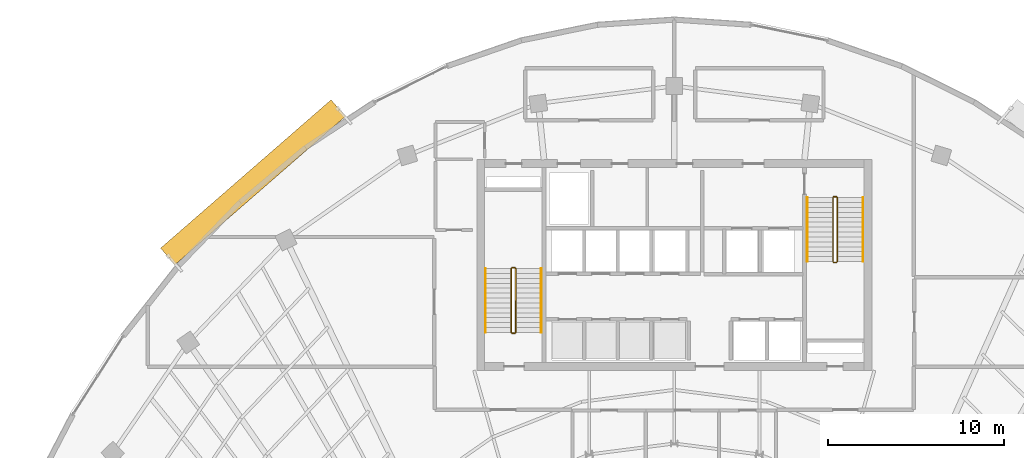
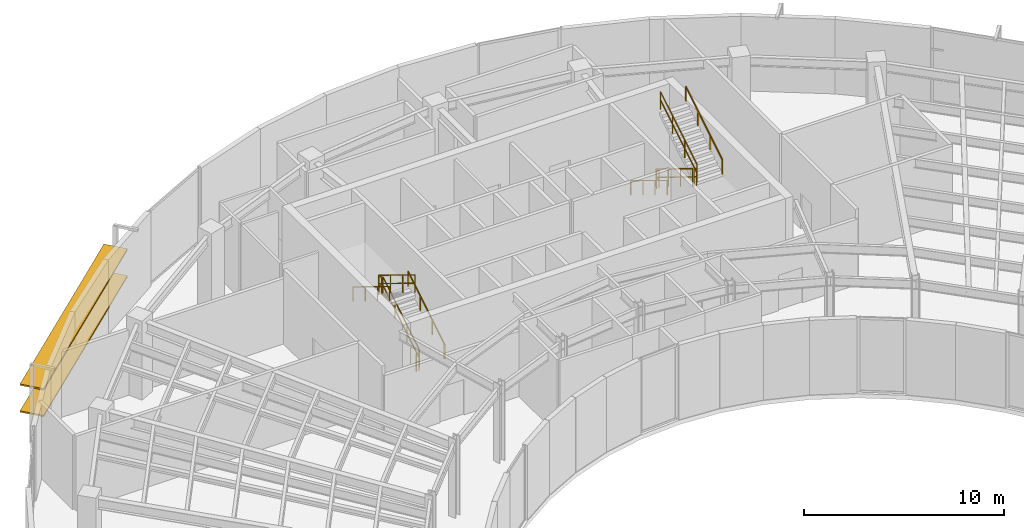
# One storey, part 13 of 15: 12 railings, 2 shading devices.
"""IFC4 building model written with IfcOpenShell, lengths in metres."""

from ifc_helpers import new_model, si_unit, direction, frame, origin, origin_2d, place, context, subcontext, project, spatial, rectangle, extrude, source, transform, mapped, material, material_profile, profile_set, type_object, element, save


model = new_model("IFC4")

# Units and contexts
model_context = context("Model", 3, precision=1e-05, world=origin(), true_north=direction((0.0, 1.0)))
body_context = subcontext(model_context, "Body", "Model", "MODEL_VIEW")
ifc_project = project(units=[si_unit("LENGTHUNIT", "METRE"), si_unit("AREAUNIT", "SQUARE_METRE"), si_unit("VOLUMEUNIT", "CUBIC_METRE"), si_unit("PLANEANGLEUNIT", "RADIAN"), si_unit("MASSUNIT", "GRAM", prefix="KILO")], contexts=[model_context])

# Site, building, storey
site_placement = place(None, origin())
site = spatial("IfcSite", under=ifc_project, at=site_placement, CompositionType="ELEMENT")
building_placement = place(site_placement, origin())
building = spatial("IfcBuilding", under=site, at=building_placement, Name="Breltana Convention Tower", CompositionType="ELEMENT")
storey_placement = place(building_placement, frame((0.0, 0.0, 199.199951171875)))
storey = spatial("IfcBuildingStorey", under=building, at=storey_placement, Name="L48", CompositionType="ELEMENT", Elevation=199.199951171875)

# Railings
ifc_material_1 = material(Name="Steel S275 Painted", Category="steel")
railing_type_1 = type_object("IfcRailingType", Name="RL-STAIR-GUARD-1100", PredefinedType="GUARDRAIL", material=ifc_material_1)
railing_1_placement = place(storey_placement, frame((38.9599609375, 62.360107421875, 0.17138671875)))
element("IfcRailing", 1, at=railing_1_placement, inside=storey, type_object=railing_type_1, Name="L48 ST-1 stair guard 1", PredefinedType="GUARDRAIL", context=body_context, shape_type="SweptSolid", body=[
    extrude(rectangle(XDim=0.048095703125, YDim=0.048095703125, at=origin_2d()), frame((0.0, 0.0, 1.076171875), z_axis=(0.0, 0.852824790078, 0.522197163366), x_axis=(-1.0, 0.0, 0.0)), (0.0, 0.0, 1.0), 4.26806640625),
    extrude(rectangle(XDim=0.048095703125, YDim=0.048095703125, at=origin_2d()), frame((0.0, 0.0, 0.572021484375), z_axis=(0.0, 0.852824790078, 0.522197163366), x_axis=(-1.0, 0.0, 0.0)), (0.0, 0.0, 1.0), 4.26806640625),
    extrude(rectangle(XDim=0.0419921875, YDim=0.0419921875, at=origin_2d()), origin(), (0.0, 0.0, 1.0), 1.052001953125),
    extrude(rectangle(XDim=0.0419921875, YDim=0.0419921875, at=origin_2d()), frame((0.0, 1.21337890625, 0.742919921875)), (0.0, 0.0, 1.0), 1.052001953125),
    extrude(rectangle(XDim=0.0419921875, YDim=0.0419921875, at=origin_2d()), frame((0.0, 2.426513671875, 1.48583984375)), (0.0, 0.0, 1.0), 1.052001953125),
    extrude(rectangle(XDim=0.0419921875, YDim=0.0419921875, at=origin_2d()), frame((0.0, 3.639892578125, 2.228759765625)), (0.0, 0.0, 1.0), 1.052001953125),
])
railing_2_placement = place(storey_placement, frame((38.909912109375, 66.050048828125, 2.400146484375)))
element("IfcRailing", 2, at=railing_2_placement, inside=storey, type_object=railing_type_1, Name="L48 ST-1 stair guard 2", PredefinedType="GUARDRAIL", context=body_context, shape_type="SweptSolid", body=[
    extrude(rectangle(XDim=0.048095703125, YDim=0.048095703125, at=origin_2d()), frame((0.0, 0.0, 1.076171875), z_axis=(-1.0, 0.0, 0.0), x_axis=(0.0, -1.0, 0.0)), (0.0, 0.0, 1.0), 0.14990234375),
    extrude(rectangle(XDim=0.048095703125, YDim=0.048095703125, at=origin_2d()), frame((0.0, 0.0, 0.572021484375), z_axis=(-1.0, 0.0, 0.0), x_axis=(0.0, -1.0, 0.0)), (0.0, 0.0, 1.0), 0.14990234375),
    extrude(rectangle(XDim=0.0419921875, YDim=0.0419921875, at=origin_2d()), origin(), (0.0, 0.0, 1.0), 1.052001953125),
    extrude(rectangle(XDim=0.0419921875, YDim=0.0419921875, at=origin_2d()), frame((-0.14990234375, 0.0, 0.0)), (0.0, 0.0, 1.0), 1.052001953125),
])
railing_3_placement = place(storey_placement, frame((38.7099609375, 66.0, 2.571533203125)))
element("IfcRailing", 3, at=railing_3_placement, inside=storey, type_object=railing_type_1, Name="L48 ST-1 stair guard 3", PredefinedType="GUARDRAIL", context=body_context, shape_type="SweptSolid", body=[
    extrude(rectangle(XDim=0.048095703125, YDim=0.048095703125, at=origin_2d()), frame((0.0, 0.0, 1.076171875), z_axis=(0.0, -0.852850264322, 0.5221555579), x_axis=(1.0, 0.0, 0.0)), (0.0, 0.0, 1.0), 4.267822265625),
    extrude(rectangle(XDim=0.048095703125, YDim=0.048095703125, at=origin_2d()), frame((0.0, 0.0, 0.572021484375), z_axis=(0.0, -0.852850264322, 0.5221555579), x_axis=(1.0, 0.0, 0.0)), (0.0, 0.0, 1.0), 4.267822265625),
    extrude(rectangle(XDim=0.0419921875, YDim=0.0419921875, at=origin_2d()), origin(), (0.0, 0.0, 1.0), 1.052001953125),
    extrude(rectangle(XDim=0.0419921875, YDim=0.0419921875, at=origin_2d()), frame((0.0, -1.21337890625, 0.742919921875)), (0.0, 0.0, 1.0), 1.052001953125),
    extrude(rectangle(XDim=0.0419921875, YDim=0.0419921875, at=origin_2d()), frame((0.0, -2.426513671875, 1.485595703125)), (0.0, 0.0, 1.0), 1.052001953125),
    extrude(rectangle(XDim=0.0419921875, YDim=0.0419921875, at=origin_2d()), frame((0.0, -3.639892578125, 2.228515625)), (0.0, 0.0, 1.0), 1.052001953125),
])
railing_4_placement = place(storey_placement, frame((38.909912109375, 62.31005859375, 0.0)))
element("IfcRailing", 4, at=railing_4_placement, inside=storey, type_object=railing_type_1, Name="L48 ST-1 stair guard 4", PredefinedType="GUARDRAIL", context=body_context, shape_type="SweptSolid", body=[
    extrude(rectangle(XDim=0.048095703125, YDim=0.048095703125, at=origin_2d()), frame((0.0, 0.0, 1.076171875), z_axis=(-1.0, 0.0, 0.0), x_axis=(0.0, -1.0, 0.0)), (0.0, 0.0, 1.0), 0.14990234375),
    extrude(rectangle(XDim=0.048095703125, YDim=0.048095703125, at=origin_2d()), frame((0.0, 0.0, 0.572021484375), z_axis=(-1.0, 0.0, 0.0), x_axis=(0.0, -1.0, 0.0)), (0.0, 0.0, 1.0), 0.14990234375),
    extrude(rectangle(XDim=0.0419921875, YDim=0.0419921875, at=origin_2d()), origin(), (0.0, 0.0, 1.0), 1.052001953125),
    extrude(rectangle(XDim=0.0419921875, YDim=0.0419921875, at=origin_2d()), frame((-0.14990234375, 0.0, 0.0)), (0.0, 0.0, 1.0), 1.052001953125),
])
railing_5_placement = place(storey_placement, frame((57.0400390625, 70.0400390625, 0.17138671875)))
element("IfcRailing", 5, at=railing_5_placement, inside=storey, type_object=railing_type_1, Name="L48 ST-2 stair guard 1", PredefinedType="GUARDRAIL", context=body_context, shape_type="SweptSolid", body=[
    extrude(rectangle(XDim=0.048095703125, YDim=0.048095703125, at=origin_2d()), frame((0.0, 0.0, 1.076171875), z_axis=(0.0, -0.852840387347, 0.522171689878), x_axis=(1.0, 0.0, 0.0)), (0.0, 0.0, 1.0), 4.268310546875),
    extrude(rectangle(XDim=0.048095703125, YDim=0.048095703125, at=origin_2d()), frame((0.0, 0.0, 0.572021484375), z_axis=(0.0, -0.852840387347, 0.522171689878), x_axis=(1.0, 0.0, 0.0)), (0.0, 0.0, 1.0), 4.268310546875),
    extrude(rectangle(XDim=0.0419921875, YDim=0.0419921875, at=origin_2d()), origin(), (0.0, 0.0, 1.0), 1.052001953125),
    extrude(rectangle(XDim=0.0419921875, YDim=0.0419921875, at=origin_2d()), frame((0.0, -1.21337890625, 0.742919921875)), (0.0, 0.0, 1.0), 1.052001953125),
    extrude(rectangle(XDim=0.0419921875, YDim=0.0419921875, at=origin_2d()), frame((0.0, -2.4267578125, 1.48583984375)), (0.0, 0.0, 1.0), 1.052001953125),
    extrude(rectangle(XDim=0.0419921875, YDim=0.0419921875, at=origin_2d()), frame((0.0, -3.64013671875, 2.228759765625)), (0.0, 0.0, 1.0), 1.052001953125),
])
railing_6_placement = place(storey_placement, frame((57.090087890625, 66.35009765625, 2.400146484375)))
element("IfcRailing", 6, at=railing_6_placement, inside=storey, type_object=railing_type_1, Name="L48 ST-2 stair guard 2", PredefinedType="GUARDRAIL", context=body_context, shape_type="SweptSolid", body=[
    extrude(rectangle(XDim=0.048095703125, YDim=0.048095703125, at=origin_2d()), frame((0.0, 0.0, 1.076171875), z_axis=(1.0, 0.0, 0.0), x_axis=(0.0, 1.0, 0.0)), (0.0, 0.0, 1.0), 0.14990234375),
    extrude(rectangle(XDim=0.048095703125, YDim=0.048095703125, at=origin_2d()), frame((0.0, 0.0, 0.572021484375), z_axis=(1.0, 0.0, 0.0), x_axis=(0.0, 1.0, 0.0)), (0.0, 0.0, 1.0), 0.14990234375),
    extrude(rectangle(XDim=0.0419921875, YDim=0.0419921875, at=origin_2d()), origin(), (0.0, 0.0, 1.0), 1.052001953125),
    extrude(rectangle(XDim=0.0419921875, YDim=0.0419921875, at=origin_2d()), frame((0.14990234375, 0.0, 0.0)), (0.0, 0.0, 1.0), 1.052001953125),
])
railing_7_placement = place(storey_placement, frame((57.2900390625, 66.39990234375, 2.571533203125)))
element("IfcRailing", 7, at=railing_7_placement, inside=storey, type_object=railing_type_1, Name="L48 ST-2 stair guard 3", PredefinedType="GUARDRAIL", context=body_context, shape_type="SweptSolid", body=[
    extrude(rectangle(XDim=0.048095703125, YDim=0.048095703125, at=origin_2d()), frame((0.0, 0.0, 1.076171875), z_axis=(0.0, 0.852865859571, 0.52213008492), x_axis=(-1.0, 0.0, 0.0)), (0.0, 0.0, 1.0), 4.26806640625),
    extrude(rectangle(XDim=0.048095703125, YDim=0.048095703125, at=origin_2d()), frame((0.0, 0.0, 0.572021484375), z_axis=(0.0, 0.852865859571, 0.52213008492), x_axis=(-1.0, 0.0, 0.0)), (0.0, 0.0, 1.0), 4.26806640625),
    extrude(rectangle(XDim=0.0419921875, YDim=0.0419921875, at=origin_2d()), origin(), (0.0, 0.0, 1.0), 1.052001953125),
    extrude(rectangle(XDim=0.0419921875, YDim=0.0419921875, at=origin_2d()), frame((0.0, 1.21337890625, 0.742919921875)), (0.0, 0.0, 1.0), 1.052001953125),
    extrude(rectangle(XDim=0.0419921875, YDim=0.0419921875, at=origin_2d()), frame((0.0, 2.4267578125, 1.485595703125)), (0.0, 0.0, 1.0), 1.052001953125),
    extrude(rectangle(XDim=0.0419921875, YDim=0.0419921875, at=origin_2d()), frame((0.0, 3.64013671875, 2.228515625)), (0.0, 0.0, 1.0), 1.052001953125),
])
railing_8_placement = place(storey_placement, frame((57.090087890625, 70.090087890625, 0.0)))
element("IfcRailing", 8, at=railing_8_placement, inside=storey, type_object=railing_type_1, Name="L48 ST-2 stair guard 4", PredefinedType="GUARDRAIL", context=body_context, shape_type="SweptSolid", body=[
    extrude(rectangle(XDim=0.048095703125, YDim=0.048095703125, at=origin_2d()), frame((0.0, 0.0, 1.076171875), z_axis=(1.0, 0.0, 0.0), x_axis=(0.0, 1.0, 0.0)), (0.0, 0.0, 1.0), 0.14990234375),
    extrude(rectangle(XDim=0.048095703125, YDim=0.048095703125, at=origin_2d()), frame((0.0, 0.0, 0.572021484375), z_axis=(1.0, 0.0, 0.0), x_axis=(0.0, 1.0, 0.0)), (0.0, 0.0, 1.0), 0.14990234375),
    extrude(rectangle(XDim=0.0419921875, YDim=0.0419921875, at=origin_2d()), origin(), (0.0, 0.0, 1.0), 1.052001953125),
    extrude(rectangle(XDim=0.0419921875, YDim=0.0419921875, at=origin_2d()), frame((0.14990234375, 0.0, 0.0)), (0.0, 0.0, 1.0), 1.052001953125),
])
ifc_material_2 = material(Name="Stainless Steel 316L", Category="steel")
railing_type_2 = type_object("IfcRailingType", Name="RL-STAIR-HANDRAIL-900", PredefinedType="HANDRAIL", material=ifc_material_2)
railing_9_placement = place(storey_placement, frame((40.419921875, 62.360107421875, 0.17138671875)))
element("IfcRailing", 9, at=railing_9_placement, inside=storey, type_object=railing_type_2, Name="L48 ST-1 stair handrail 1", PredefinedType="HANDRAIL", context=body_context, shape_type="SweptSolid", body=[
    extrude(rectangle(XDim=0.048095703125, YDim=0.048095703125, at=origin_2d()), frame((0.0, 0.0, 0.8759765625), z_axis=(0.0, 0.852824790078, 0.522197163366), x_axis=(-1.0, 0.0, 0.0)), (0.0, 0.0, 1.0), 4.26806640625),
    extrude(rectangle(XDim=0.0419921875, YDim=0.0419921875, at=origin_2d()), origin(), (0.0, 0.0, 1.0), 0.851806640625),
    extrude(rectangle(XDim=0.0419921875, YDim=0.0419921875, at=origin_2d()), frame((0.0, 1.21337890625, 0.742919921875)), (0.0, 0.0, 1.0), 0.851806640625),
    extrude(rectangle(XDim=0.0419921875, YDim=0.0419921875, at=origin_2d()), frame((0.0, 2.426513671875, 1.48583984375)), (0.0, 0.0, 1.0), 0.851806640625),
    extrude(rectangle(XDim=0.0419921875, YDim=0.0419921875, at=origin_2d()), frame((0.0, 3.639892578125, 2.228759765625)), (0.0, 0.0, 1.0), 0.851806640625),
])
railing_10_placement = place(storey_placement, frame((37.25, 66.0, 2.571533203125)))
element("IfcRailing", 10, at=railing_10_placement, inside=storey, type_object=railing_type_2, Name="L48 ST-1 stair handrail 2", PredefinedType="HANDRAIL", context=body_context, shape_type="SweptSolid", body=[
    extrude(rectangle(XDim=0.048095703125, YDim=0.048095703125, at=origin_2d()), frame((0.0, 0.0, 0.8759765625), z_axis=(0.0, -0.852850264322, 0.5221555579), x_axis=(1.0, 0.0, 0.0)), (0.0, 0.0, 1.0), 4.267822265625),
    extrude(rectangle(XDim=0.0419921875, YDim=0.0419921875, at=origin_2d()), origin(), (0.0, 0.0, 1.0), 0.851806640625),
    extrude(rectangle(XDim=0.0419921875, YDim=0.0419921875, at=origin_2d()), frame((0.0, -1.21337890625, 0.742919921875)), (0.0, 0.0, 1.0), 0.851806640625),
    extrude(rectangle(XDim=0.0419921875, YDim=0.0419921875, at=origin_2d()), frame((0.0, -2.426513671875, 1.485595703125)), (0.0, 0.0, 1.0), 0.851806640625),
    extrude(rectangle(XDim=0.0419921875, YDim=0.0419921875, at=origin_2d()), frame((0.0, -3.639892578125, 2.228515625)), (0.0, 0.0, 1.0), 0.851806640625),
])
railing_11_placement = place(storey_placement, frame((55.580078125, 70.0400390625, 0.17138671875)))
element("IfcRailing", 11, at=railing_11_placement, inside=storey, type_object=railing_type_2, Name="L48 ST-2 stair handrail 1", PredefinedType="HANDRAIL", context=body_context, shape_type="SweptSolid", body=[
    extrude(rectangle(XDim=0.048095703125, YDim=0.048095703125, at=origin_2d()), frame((0.0, 0.0, 0.8759765625), z_axis=(0.0, -0.852840387347, 0.522171689878), x_axis=(1.0, 0.0, 0.0)), (0.0, 0.0, 1.0), 4.268310546875),
    extrude(rectangle(XDim=0.0419921875, YDim=0.0419921875, at=origin_2d()), origin(), (0.0, 0.0, 1.0), 0.851806640625),
    extrude(rectangle(XDim=0.0419921875, YDim=0.0419921875, at=origin_2d()), frame((0.0, -1.21337890625, 0.742919921875)), (0.0, 0.0, 1.0), 0.851806640625),
    extrude(rectangle(XDim=0.0419921875, YDim=0.0419921875, at=origin_2d()), frame((0.0, -2.4267578125, 1.48583984375)), (0.0, 0.0, 1.0), 0.851806640625),
    extrude(rectangle(XDim=0.0419921875, YDim=0.0419921875, at=origin_2d()), frame((0.0, -3.64013671875, 2.228759765625)), (0.0, 0.0, 1.0), 0.851806640625),
])
railing_12_placement = place(storey_placement, frame((58.75, 66.39990234375, 2.571533203125)))
element("IfcRailing", 12, at=railing_12_placement, inside=storey, type_object=railing_type_2, Name="L48 ST-2 stair handrail 2", PredefinedType="HANDRAIL", context=body_context, shape_type="SweptSolid", body=[
    extrude(rectangle(XDim=0.048095703125, YDim=0.048095703125, at=origin_2d()), frame((0.0, 0.0, 0.8759765625), z_axis=(0.0, 0.852865859571, 0.52213008492), x_axis=(-1.0, 0.0, 0.0)), (0.0, 0.0, 1.0), 4.26806640625),
    extrude(rectangle(XDim=0.0419921875, YDim=0.0419921875, at=origin_2d()), origin(), (0.0, 0.0, 1.0), 0.851806640625),
    extrude(rectangle(XDim=0.0419921875, YDim=0.0419921875, at=origin_2d()), frame((0.0, 1.21337890625, 0.742919921875)), (0.0, 0.0, 1.0), 0.851806640625),
    extrude(rectangle(XDim=0.0419921875, YDim=0.0419921875, at=origin_2d()), frame((0.0, 2.4267578125, 1.485595703125)), (0.0, 0.0, 1.0), 0.851806640625),
    extrude(rectangle(XDim=0.0419921875, YDim=0.0419921875, at=origin_2d()), frame((0.0, 3.64013671875, 2.228515625)), (0.0, 0.0, 1.0), 0.851806640625),
])

# Shading devices
ifc_material_3 = material(Name="Limestone Warm Buff Honed", Category="masonry")
ifc_material_profile = material_profile(ifc_material_3, rectangle(XDim=1.25, YDim=0.090087890625, at=origin_2d()), Name="STN-LVR-1250X90")
ifc_profile_set = profile_set([ifc_material_profile], Name="Limestone Warm Buff Honed")
shading_device_type = type_object("IfcShadingDeviceType", Name="SHD-OUTER-SKIN-LIMESTONE-1250", PredefinedType="JALOUSIE", material=ifc_profile_set)
shared_shape = source(origin(), body_context, "Body", "SweptSolid", [
    extrude(rectangle(XDim=1.25, YDim=0.090087890625, at=origin_2d()), origin(), (0.0, 0.0, 1.0), 12.87255859375),
])
for number, where, z_axis, x_axis, name in (
    (13, (19.147216796875, 66.69140625, 1.634521484375), (0.754370287864, 0.656449136482, 0.0), (-0.656449136482, 0.754370287864, 0.0), "L48 outer skin warm limestone louvre 1.1"),
    (14, (19.147216796875, 66.69140625, 3.268798828125), (0.754370287864, 0.656449136482, 0.0), (-0.656449136482, 0.754370287864, 0.0), "L48 outer skin warm limestone louvre 1.2"),
):
    element("IfcShadingDevice", number, at=place(storey_placement, frame(where, z_axis=z_axis, x_axis=x_axis)), inside=storey, type_object=shading_device_type, Name=name, PredefinedType="JALOUSIE", context=body_context, shape_type="MappedRepresentation", body=[
        mapped(shared_shape, transform((0.0, 0.0, 0.0), scale=1.0)),
    ])

save(model, "model.ifc")
